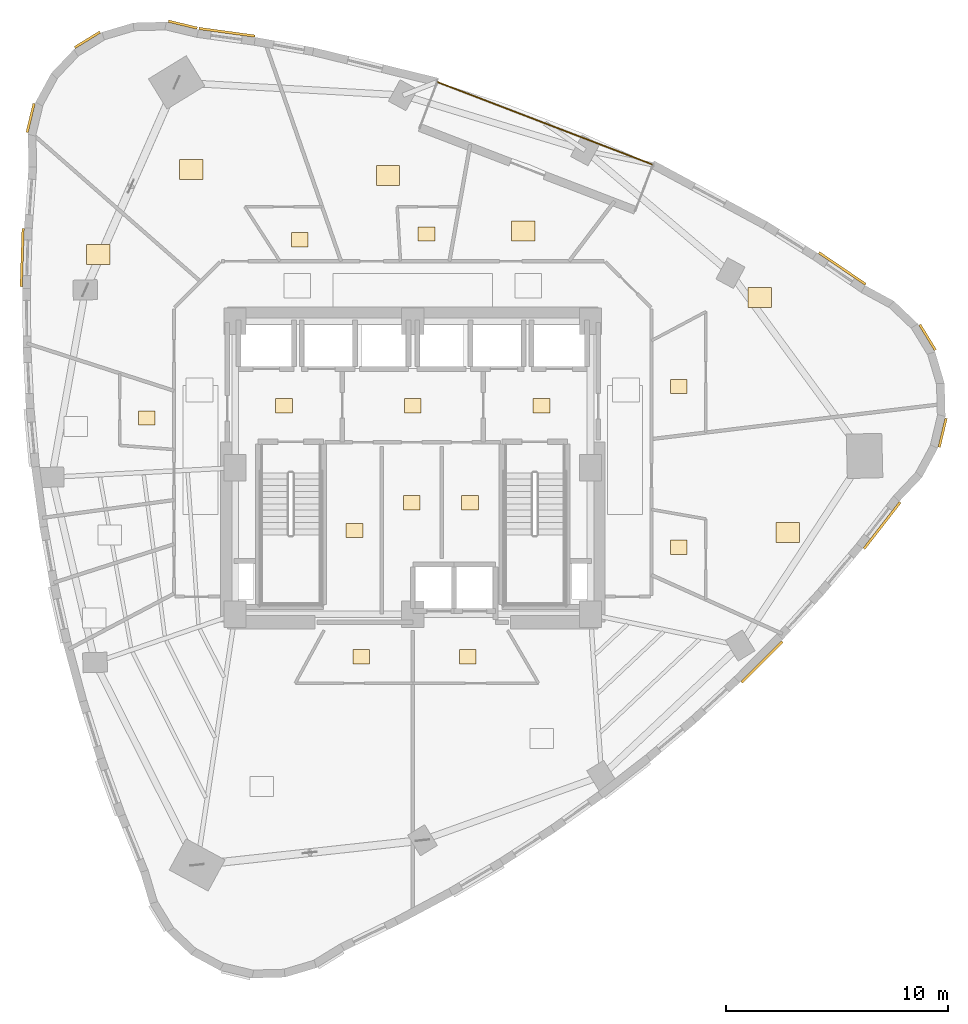
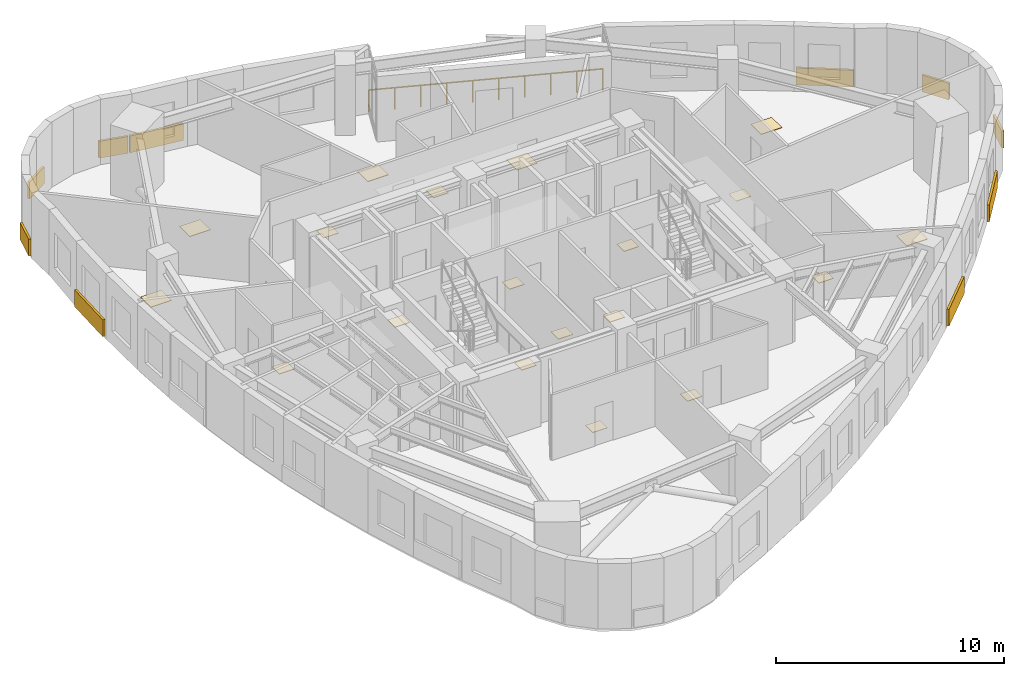
# One storey, part 13 of 13: 29 coverings, 1 railing.
"""IFC4 building model written with IfcOpenShell, lengths in metres."""

from ifc_helpers import new_model, si_unit, direction, frame, origin, origin_2d, place, context, subcontext, project, spatial, rectangle, circle, extrude, material, layer, layer_set, type_object, element, save


model = new_model("IFC4")

# Units and contexts
model_context = context("Model", 3, precision=1e-05, world=origin(), true_north=direction((0.0, 1.0)))
body_context = subcontext(model_context, "Body", "Model", "MODEL_VIEW")
ifc_project = project(units=[si_unit("LENGTHUNIT", "METRE"), si_unit("AREAUNIT", "SQUARE_METRE"), si_unit("VOLUMEUNIT", "CUBIC_METRE"), si_unit("PLANEANGLEUNIT", "RADIAN"), si_unit("MASSUNIT", "GRAM", prefix="KILO")], contexts=[model_context])

# Site, building, storey
site_placement = place(None, origin())
site = spatial("IfcSite", under=ifc_project, at=site_placement, CompositionType="ELEMENT")
building_placement = place(site_placement, origin())
building = spatial("IfcBuilding", under=site, at=building_placement, Name="Ndelora Gate Hotel", CompositionType="ELEMENT")
storey_placement = place(building_placement, frame((0.0, 0.0, 157.25)))
storey = spatial("IfcBuildingStorey", under=building, at=storey_placement, Name="L39", CompositionType="ELEMENT", Elevation=157.25)

# Coverings
ifc_material_1 = material(Name="Terracotta Fired Clay Brick Slip Cladding", Category="masonry")
ifc_layer_1 = layer(ifc_material_1, 0.110107421875)
ifc_layer_set_1 = layer_set([ifc_layer_1], Name="Terracotta Fired Clay Brick Slip Cladding")
covering_type_1 = type_object("IfcCoveringType", Name="COV-CLAD-BRK", PredefinedType="CLADDING", material=ifc_layer_set_1)
for number, where, z_axis, x_axis, name in (
    (1, (-10.35302734375, 19.953369140625, 0.10009765625), (0.0, 0.0, 1.0), (-0.972369920398, 0.233445363856, 0.0), "L39 Rounded-Corner Brick Cladding Band 1"),
    (2, (-14.651611328125, 19.272705078125, 0.10009765625), (0.0, 0.0, 1.0), (0.852640164354, 0.522498564716, 0.0), "L39 Rounded-Corner Brick Cladding Band 4"),
    (3, (-17.209716796875, 15.751708984375, 0.10009765625), (0.0, 0.0, 1.0), (0.233445363856, 0.972369920398, 0.0), "L39 Rounded-Corner Brick Cladding Band 7"),
):
    element("IfcCovering", number, at=place(storey_placement, frame(where, z_axis=z_axis, x_axis=x_axis)), inside=storey, type_object=covering_type_1, Name=name, PredefinedType="CLADDING", context=body_context, shape_type="SweptSolid", body=[
        extrude(rectangle(XDim=1.3359375, YDim=0.110107421875, at=origin_2d()), origin(), (0.0, 0.0, 1.0), 0.89990234375),
    ])
covering_1_placement = place(storey_placement, frame((-17.58935546875, 9.464111328125, 0.10009765625), z_axis=(0.0, 0.0, 1.0), x_axis=(0.03193409516, 0.999489976721, 0.0)))
element("IfcCovering", 4, at=covering_1_placement, inside=storey, type_object=covering_type_1, Name="L39 Rounded-Corner Brick Cladding Band 10", PredefinedType="CLADDING", context=body_context, shape_type="SweptSolid", body=[
    extrude(rectangle(XDim=2.626953125, YDim=0.110107421875, at=origin_2d()), origin(), (0.0, 0.0, 1.0), 0.89990234375),
])
covering_2_placement = place(storey_placement, frame((15.728759765625, -8.741943359375, 0.10009765625), z_axis=(0.0, 0.0, 1.0), x_axis=(0.706242359774, 0.707970147154, 0.0)))
element("IfcCovering", 5, at=covering_2_placement, inside=storey, type_object=covering_type_1, Name="L39 Rounded-Corner Brick Cladding Band 37", PredefinedType="CLADDING", context=body_context, shape_type="SweptSolid", body=[
    extrude(rectangle(XDim=2.593994140625, YDim=0.110107421875, at=origin_2d()), origin(), (0.0, 0.0, 1.0), 0.89990234375),
])
covering_3_placement = place(storey_placement, frame((21.133544921875, -2.600341796875, 0.10009765625), z_axis=(0.0, 0.0, 1.0), x_axis=(0.613458536509, 0.789726930011, 0.0)))
element("IfcCovering", 6, at=covering_3_placement, inside=storey, type_object=covering_type_1, Name="L39 Rounded-Corner Brick Cladding Band 40", PredefinedType="CLADDING", context=body_context, shape_type="SweptSolid", body=[
    extrude(rectangle(XDim=2.65087890625, YDim=0.110107421875, at=origin_2d()), origin(), (0.0, 0.0, 1.0), 0.89990234375),
])
for number, where, z_axis, x_axis, name in (
    (7, (23.861083984375, 1.575927734375, 0.10009765625), (0.0, 0.0, 1.0), (0.233445363856, 0.972369920398, 0.0), "L39 Rounded-Corner Brick Cladding Band 43"),
    (8, (23.180419921875, 5.87451171875, 0.10009765625), (0.0, 0.0, 1.0), (-0.522498564716, 0.852640164354, 0.0), "L39 Rounded-Corner Brick Cladding Band 46"),
):
    element("IfcCovering", number, at=place(storey_placement, frame(where, z_axis=z_axis, x_axis=x_axis)), inside=storey, type_object=covering_type_1, Name=name, PredefinedType="CLADDING", context=body_context, shape_type="SweptSolid", body=[
        extrude(rectangle(XDim=1.3359375, YDim=0.110107421875, at=origin_2d()), origin(), (0.0, 0.0, 1.0), 0.89990234375),
    ])
for number, where, z_axis, x_axis, name in (
    (9, (19.341796875, 8.973876953125, 0.10009765625), (0.0, 0.0, 1.0), (-0.826982459622, 0.562227722082, 0.0), "L39 Rounded-Corner Brick Cladding Band 49"),
    (10, (-8.369140625, 19.611083984375, 0.10009765625), (0.0, 0.0, 1.0), (-0.990771512217, 0.135542652249, 0.0), "L39 Rounded-Corner Brick Cladding Band 58"),
):
    element("IfcCovering", number, at=place(storey_placement, frame(where, z_axis=z_axis, x_axis=x_axis)), inside=storey, type_object=covering_type_1, Name=name, PredefinedType="CLADDING", context=body_context, shape_type="SweptSolid", body=[
        extrude(rectangle(XDim=2.5419921875, YDim=0.110107421875, at=origin_2d()), origin(), (0.0, 0.0, 1.0), 0.89990234375),
    ])
ifc_material_2 = material(Name="Engineered Highland Oak Parquet", Category="wood")
ifc_layer_2 = layer(ifc_material_2, 0.030029296875)
ifc_layer_set_2 = layer_set([ifc_layer_2], Name="Engineered Highland Oak Parquet")
covering_type_2 = type_object("IfcCoveringType", Name="COV-FLR-PARQ", PredefinedType="FLOORING", material=ifc_layer_set_2)
for number, where, z_axis, x_axis, name in (
    (11, (16.892822265625, -2.912841796875, 0.0), (0.0, 0.0, 1.0), (1.0, 0.0, 0.0), "L39 Corner Panorama Suite 4203 Oak Parquet Flooring"),
    (12, (15.628662109375, 7.661865234375, 0.0), (0.0, 0.0, 1.0), (1.0, 0.0, 0.0), "L39 Two-Bay Highland Suite 4204 Oak Parquet Flooring"),
    (13, (4.977783203125, 10.661376953125, 0.0), (0.0, 0.0, 1.0), (1.0, 0.0, 0.0), "L39 Sky Garden Tea Dining Room Oak Parquet Flooring"),
    (14, (-1.115478515625, 13.159423828125, 0.0), (0.0, 0.0, 1.0), (1.0, 0.0, 0.0), "L39 Corner Club Suite 4205 Oak Parquet Flooring"),
    (15, (-9.9697265625, 13.42431640625, 0.0), (0.0, 0.0, 1.0), (1.0, 0.0, 0.0), "L39 Club Superior Junior Suite 4206 Oak Parquet Flooring"),
    (16, (-14.156494140625, 9.60302734375, 0.0), (0.0, 0.0, 1.0), (1.0, 0.0, 0.0), "L39 Quiet Reading Library Oak Parquet Flooring"),
):
    element("IfcCovering", number, at=place(storey_placement, frame(where, z_axis=z_axis, x_axis=x_axis)), inside=storey, type_object=covering_type_2, Name=name, PredefinedType="FLOORING", context=body_context, shape_type="SweptSolid", body=[
        extrude(rectangle(XDim=1.050048828125, YDim=0.89990234375, at=origin_2d()), origin(), (0.0, 0.0, 1.0), 0.030029296875),
    ])
ifc_material_3 = material(Name="Non-Slip Porcelain Wet-Room Tile", Category="ceramic")
ifc_layer_3 = layer(ifc_material_3, 0.02490234375)
ifc_layer_set_3 = layer_set([ifc_layer_3], Name="Non-Slip Porcelain Wet-Room Tile")
covering_type_3 = type_object("IfcCoveringType", Name="COV-FLR-TILE", PredefinedType="FLOORING", material=ifc_layer_set_3)
for number, where, z_axis, x_axis, name in (
    (17, (-5.800048828125, 2.800048828125, 0.0), (0.0, 0.0, 1.0), (1.0, 0.0, 0.0), "L39 Firefighting Lift Lobby West Porcelain Tile Flooring"),
    (18, (5.800048828125, 2.800048828125, 0.0), (0.0, 0.0, 1.0), (1.0, 0.0, 0.0), "L39 Firefighting Lift Lobby East Porcelain Tile Flooring"),
    (19, (0.0, 2.800048828125, 0.0), (0.0, 0.0, 1.0), (1.0, 0.0, 0.0), "L39 Central Passenger Lift Lobby Porcelain Tile Flooring"),
    (20, (-2.625, -2.824951171875, 0.0), (0.0, 0.0, 1.0), (1.0, 0.0, 0.0), "L39 Core Cleaners Store Porcelain Tile Flooring"),
    (21, (-0.050048828125, -1.574951171875, 0.0), (0.0, 0.0, 1.0), (1.0, 0.0, 0.0), "L39 Core Telecoms Equipment Room Porcelain Tile Flooring"),
    (22, (2.574951171875, -1.574951171875, 0.0), (0.0, 0.0, 1.0), (1.0, 0.0, 0.0), "L39 Core Electrical Metering Room Porcelain Tile Flooring"),
    (23, (-2.318359375, -8.510009765625, 0.0), (0.0, 0.0, 1.0), (1.0, 0.0, 0.0), "L39 En-suite Bathroom 4201 Porcelain Tile Flooring"),
    (24, (2.47998046875, -8.510009765625, 0.0), (0.0, 0.0, 1.0), (1.0, 0.0, 0.0), "L39 En-suite Bathroom 4202 Porcelain Tile Flooring"),
    (25, (11.97509765625, -3.572998046875, 0.0), (0.0, 0.0, 1.0), (1.0, 0.0, 0.0), "L39 En-suite Bathroom 4203 Porcelain Tile Flooring"),
    (26, (11.97509765625, 3.659912109375, 0.0), (0.0, 0.0, 1.0), (1.0, 0.0, 0.0), "L39 En-suite Bathroom 4204 Porcelain Tile Flooring"),
    (27, (0.61962890625, 10.52490234375, 0.0), (0.0, 0.0, 1.0), (1.0, 0.0, 0.0), "L39 En-suite Bathroom 4205 Porcelain Tile Flooring"),
    (28, (-5.085693359375, 10.27197265625, 0.0), (0.0, 0.0, 1.0), (1.0, 0.0, 0.0), "L39 En-suite Bathroom 4206 Porcelain Tile Flooring"),
    (29, (-11.97509765625, 2.2412109375, 0.0), (0.0, 0.0, 1.0), (1.0, 0.0, 0.0), "L39 En-suite Bathroom 4207 Porcelain Tile Flooring"),
):
    element("IfcCovering", number, at=place(storey_placement, frame(where, z_axis=z_axis, x_axis=x_axis)), inside=storey, type_object=covering_type_3, Name=name, PredefinedType="FLOORING", context=body_context, shape_type="SweptSolid", body=[
        extrude(rectangle(XDim=0.75, YDim=0.64990234375, at=origin_2d()), origin(), (0.0, 0.0, 1.0), 0.02490234375),
    ])

# Railing
ifc_material_4 = material(Name="Laminated Safety Glass and Bronze Top Rail", Category="glass")
ifc_layer_4 = layer(ifc_material_4, 0.070068359375)
ifc_layer_set_4 = layer_set([ifc_layer_4], Name="Laminated Safety Glass and Bronze Top Rail")
railing_type = type_object("IfcRailingType", Name="RL-BAL-1150", PredefinedType="BALUSTRADE", material=ifc_layer_set_4)
railing_placement = place(storey_placement, frame((10.80908203125, 13.6484375, 0.0)))
element("IfcRailing", 30, at=railing_placement, inside=storey, type_object=railing_type, Name="L39 Sky-Garden Loggia Terrace Balustrade", PredefinedType="BALUSTRADE", context=body_context, shape_type="SweptSolid", body=[
    extrude(circle(Radius=0.02392578125, at=origin_2d()), frame((0.0, 0.0, 1.1357421875), z_axis=(-0.93357955321, 0.358370224529, 0.0), x_axis=(-0.358370224529, -0.93357955321, 0.0)), (0.0, 0.0, 1.0), 10.39990234375),
    extrude(circle(Radius=0.02099609375, at=origin_2d()), origin(), (0.0, 0.0, 1.0), 1.11181640625),
    extrude(circle(Radius=0.02099609375, at=origin_2d()), frame((-1.078857421875, 0.4140625, 0.0)), (0.0, 0.0, 1.0), 1.11181640625),
    extrude(circle(Radius=0.02099609375, at=origin_2d()), frame((-2.15771484375, 0.828125, 0.0)), (0.0, 0.0, 1.0), 1.11181640625),
    extrude(circle(Radius=0.02099609375, at=origin_2d()), frame((-3.236328125, 1.242431640625, 0.0)), (0.0, 0.0, 1.0), 1.11181640625),
    extrude(circle(Radius=0.02099609375, at=origin_2d()), frame((-4.315185546875, 1.656494140625, 0.0)), (0.0, 0.0, 1.0), 1.11181640625),
    extrude(circle(Radius=0.02099609375, at=origin_2d()), frame((-5.39404296875, 2.070556640625, 0.0)), (0.0, 0.0, 1.0), 1.11181640625),
    extrude(circle(Radius=0.02099609375, at=origin_2d()), frame((-6.472900390625, 2.484619140625, 0.0)), (0.0, 0.0, 1.0), 1.11181640625),
    extrude(circle(Radius=0.02099609375, at=origin_2d()), frame((-7.551513671875, 2.89892578125, 0.0)), (0.0, 0.0, 1.0), 1.11181640625),
    extrude(circle(Radius=0.02099609375, at=origin_2d()), frame((-8.63037109375, 3.31298828125, 0.0)), (0.0, 0.0, 1.0), 1.11181640625),
    extrude(circle(Radius=0.02099609375, at=origin_2d()), frame((-9.709228515625, 3.72705078125, 0.0)), (0.0, 0.0, 1.0), 1.11181640625),
])

save(model, "model.ifc")
